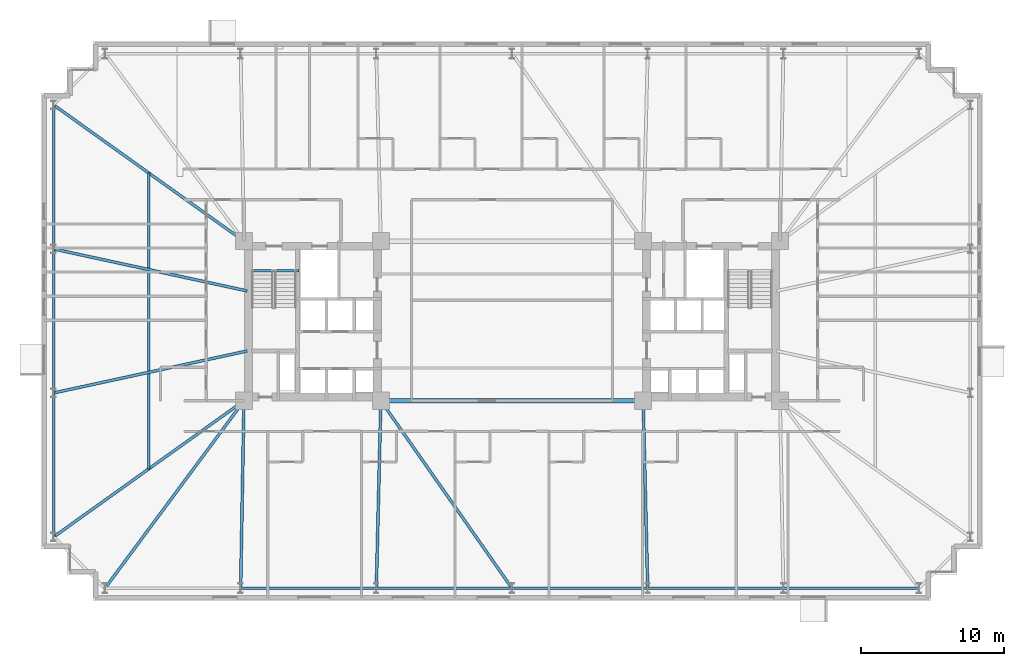
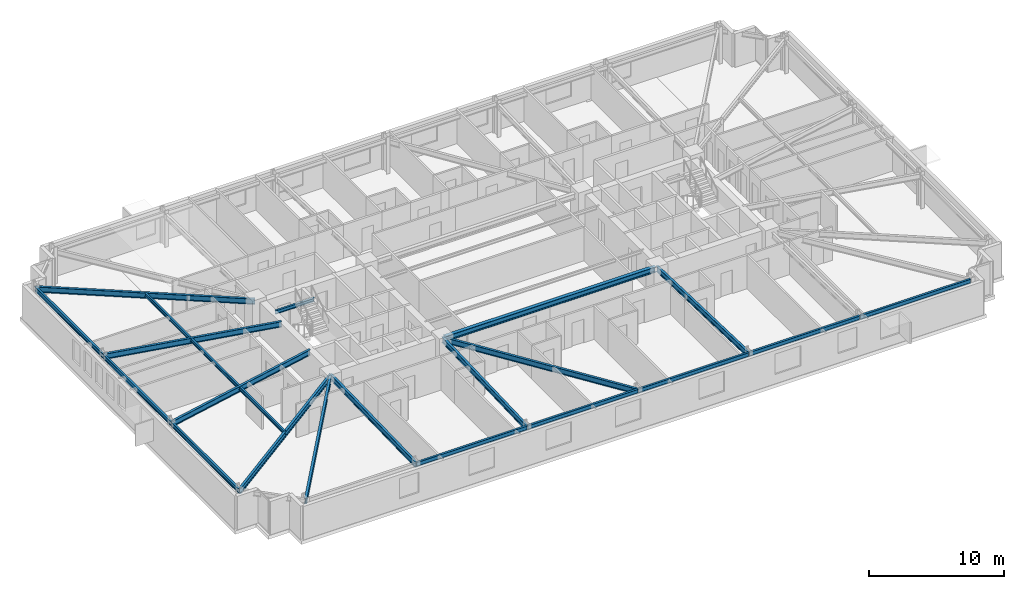
# One storey, part 5 of 22: 20 beams.
"""IFC4 building model written with IfcOpenShell, lengths in metres."""

from ifc_helpers import new_model, si_unit, direction, frame, origin, origin_2d, place, context, subcontext, project, spatial, i_section, extrude, material, material_profile, profile_set, type_object, element, save


model = new_model("IFC4")

# Units and contexts
model_context = context("Model", 3, precision=1e-05, world=origin(), true_north=direction((0.0, 1.0)))
body_context = subcontext(model_context, "Body", "Model", "MODEL_VIEW")
ifc_project = project(units=[si_unit("LENGTHUNIT", "METRE"), si_unit("AREAUNIT", "SQUARE_METRE"), si_unit("VOLUMEUNIT", "CUBIC_METRE"), si_unit("PLANEANGLEUNIT", "RADIAN"), si_unit("MASSUNIT", "GRAM", prefix="KILO")], contexts=[model_context])

# Site, building, storey
site_placement = place(None, origin())
site = spatial("IfcSite", under=ifc_project, at=site_placement, CompositionType="ELEMENT")
building_placement = place(site_placement, origin())
building = spatial("IfcBuilding", under=site, at=building_placement, Name="Qobustan Lattice House", CompositionType="ELEMENT")
storey_placement = place(building_placement, frame((0.0, 0.0, 53.800048828125)))
storey = spatial("IfcBuildingStorey", under=building, at=storey_placement, Name="L14", CompositionType="ELEMENT", Elevation=53.800048828125)

# Beams
ifc_material_1 = material(Name="Steel S355", Category="steel")
ifc_material_profile_1 = material_profile(ifc_material_1, i_section(OverallWidth=0.300048828125, OverallDepth=0.5, WebThickness=0.014404296875, FlangeThickness=0.028076171875, FilletRadius=0.027099609375, at=origin_2d()), Name="HEB500")
ifc_profile_set_1 = profile_set([ifc_material_profile_1], Name="Steel S355")
beam_type_1 = type_object("IfcBeamType", Name="BM-CG-HEB500", PredefinedType="USERDEFINED", material=ifc_profile_set_1)
beam_1_placement = place(storey_placement, frame((-9.050048828125, -5.60009765625, 2.784912109375), z_axis=(1.0, 0.0, 0.0), x_axis=(0.0, 1.0, 0.0)))
element("IfcBeam", 1, at=beam_1_placement, inside=storey, type_object=beam_type_1, Name="L14 core spine girder CG-CS", ObjectType="GIRDER", PredefinedType="USERDEFINED", context=body_context, shape_type="SweptSolid", body=[
    extrude(i_section(OverallWidth=0.300048828125, OverallDepth=0.5, WebThickness=0.014404296875, FlangeThickness=0.028076171875, FilletRadius=0.027099609375, at=origin_2d()), origin(), (0.0, 0.0, 1.0), 18.10009765625),
])
ifc_material_2 = material(Name="Steel S355", Category="steel")
ifc_material_profile_2 = material_profile(ifc_material_2, i_section(OverallWidth=0.199951171875, OverallDepth=0.5, WebThickness=0.01025390625, FlangeThickness=0.01611328125, FilletRadius=0.02099609375, at=origin_2d()), Name="IPE500")
ifc_profile_set_2 = profile_set([ifc_material_profile_2], Name="Steel S355")
beam_type_2 = type_object("IfcBeamType", Name="BM-FLG-IPE500", PredefinedType="USERDEFINED", material=ifc_profile_set_2)
beam_2_placement = place(storey_placement, frame((-28.53515625, -18.72998046875, 2.784912109375), z_axis=(0.5955916815, 0.803287338956, 0.0), x_axis=(-0.803287338956, 0.5955916815, 0.0)))
element("IfcBeam", 2, at=beam_2_placement, inside=storey, type_object=beam_type_2, Name="L14 primary floor girder RAD-S1W", ObjectType="GIRDER", PredefinedType="USERDEFINED", context=body_context, shape_type="SweptSolid", body=[
    extrude(i_section(OverallWidth=0.199951171875, OverallDepth=0.5, WebThickness=0.01025390625, FlangeThickness=0.01611328125, FilletRadius=0.02099609375, at=origin_2d()), origin(), (0.0, 0.0, 1.0), 16.3203125),
])
beam_3_placement = place(storey_placement, frame((-19.032958984375, -18.72509765625, 2.784912109375), z_axis=(0.017757831607, 0.999842317276, 0.0), x_axis=(-0.999842317276, 0.017757831607, 0.0)))
element("IfcBeam", 3, at=beam_3_placement, inside=storey, type_object=beam_type_2, Name="L14 primary floor girder RAD-S2", ObjectType="GIRDER", PredefinedType="USERDEFINED", context=body_context, shape_type="SweptSolid", body=[
    extrude(i_section(OverallWidth=0.199951171875, OverallDepth=0.5, WebThickness=0.01025390625, FlangeThickness=0.01611328125, FilletRadius=0.02099609375, at=origin_2d()), origin(), (0.0, 0.0, 1.0), 13.10205078125),
])
beam_4_placement = place(storey_placement, frame((-9.51611328125, -18.72509765625, 2.784912109375), z_axis=(0.024071445657, 0.999710240772, 0.0), x_axis=(-0.999710240772, 0.024071445657, 0.0)))
element("IfcBeam", 4, at=beam_4_placement, inside=storey, type_object=beam_type_2, Name="L14 primary floor girder RAD-S3", ObjectType="GIRDER", PredefinedType="USERDEFINED", context=body_context, shape_type="SweptSolid", body=[
    extrude(i_section(OverallWidth=0.199951171875, OverallDepth=0.5, WebThickness=0.01025390625, FlangeThickness=0.01611328125, FilletRadius=0.02099609375, at=origin_2d()), origin(), (0.0, 0.0, 1.0), 13.10400390625),
])
beam_5_placement = place(storey_placement, frame((-0.014404296875, -18.7294921875, 2.784912109375), z_axis=(-0.57325954206, 0.819373844736, 0.0), x_axis=(-0.819373844736, -0.57325954206, 0.0)))
element("IfcBeam", 5, at=beam_5_placement, inside=storey, type_object=beam_type_2, Name="L14 primary floor girder RAD-S4", ObjectType="GIRDER", PredefinedType="USERDEFINED", context=body_context, shape_type="SweptSolid", body=[
    extrude(i_section(OverallWidth=0.199951171875, OverallDepth=0.5, WebThickness=0.01025390625, FlangeThickness=0.01611328125, FilletRadius=0.02099609375, at=origin_2d()), origin(), (0.0, 0.0, 1.0), 15.998779296875),
])
beam_6_placement = place(storey_placement, frame((9.51611328125, -18.72509765625, 2.784912109375), z_axis=(-0.024071445657, 0.999710240772, 0.0), x_axis=(-0.999710240772, -0.024071445657, 0.0)))
element("IfcBeam", 6, at=beam_6_placement, inside=storey, type_object=beam_type_2, Name="L14 primary floor girder RAD-S5", ObjectType="GIRDER", PredefinedType="USERDEFINED", context=body_context, shape_type="SweptSolid", body=[
    extrude(i_section(OverallWidth=0.199951171875, OverallDepth=0.5, WebThickness=0.01025390625, FlangeThickness=0.01611328125, FilletRadius=0.02099609375, at=origin_2d()), origin(), (0.0, 0.0, 1.0), 13.10400390625),
])
beam_7_placement = place(storey_placement, frame((-32.129638671875, 15.135498046875, 2.784912109375), z_axis=(0.813318954893, -0.581818079481, 0.0), x_axis=(0.581818079481, 0.813318954893, 0.0)))
element("IfcBeam", 7, at=beam_7_placement, inside=storey, type_object=beam_type_2, Name="L14 primary floor girder RAD-W1", ObjectType="GIRDER", PredefinedType="USERDEFINED", context=body_context, shape_type="SweptSolid", body=[
    extrude(i_section(OverallWidth=0.199951171875, OverallDepth=0.5, WebThickness=0.01025390625, FlangeThickness=0.01611328125, FilletRadius=0.02099609375, at=origin_2d()), origin(), (0.0, 0.0, 1.0), 16.3642578125),
])
for number, where, z_axis, x_axis, name in (
    (8, (-32.12548828125, 5.044677734375, 2.784912109375), (0.97727240275, -0.211987383643, 0.0), (0.211987383643, 0.97727240275, 0.0), "L14 primary floor girder RAD-W2"),
    (9, (-32.12548828125, -5.044677734375, 2.784912109375), (0.97727240275, 0.211987383643, 0.0), (-0.211987383643, 0.97727240275, 0.0), "L14 primary floor girder RAD-W3"),
):
    element("IfcBeam", number, at=place(storey_placement, frame(where, z_axis=z_axis, x_axis=x_axis)), inside=storey, type_object=beam_type_2, Name=name, ObjectType="GIRDER", PredefinedType="USERDEFINED", context=body_context, shape_type="SweptSolid", body=[
        extrude(i_section(OverallWidth=0.199951171875, OverallDepth=0.5, WebThickness=0.01025390625, FlangeThickness=0.01611328125, FilletRadius=0.02099609375, at=origin_2d()), origin(), (0.0, 0.0, 1.0), 13.8662109375),
    ])
beam_8_placement = place(storey_placement, frame((-32.129638671875, -15.135498046875, 2.784912109375), z_axis=(0.813318954893, 0.581818079481, 0.0), x_axis=(-0.581818079481, 0.813318954893, 0.0)))
element("IfcBeam", 10, at=beam_8_placement, inside=storey, type_object=beam_type_2, Name="L14 primary floor girder RAD-W4", ObjectType="GIRDER", PredefinedType="USERDEFINED", context=body_context, shape_type="SweptSolid", body=[
    extrude(i_section(OverallWidth=0.199951171875, OverallDepth=0.5, WebThickness=0.01025390625, FlangeThickness=0.01611328125, FilletRadius=0.02099609375, at=origin_2d()), origin(), (0.0, 0.0, 1.0), 16.3642578125),
])
ifc_material_3 = material(Name="Steel S355", Category="steel")
ifc_material_profile_3 = material_profile(ifc_material_3, i_section(OverallWidth=0.159912109375, OverallDepth=0.330078125, WebThickness=0.007568359375, FlangeThickness=0.011474609375, FilletRadius=0.01806640625, at=origin_2d()), Name="IPE330")
ifc_profile_set_3 = profile_set([ifc_material_profile_3], Name="Steel S355")
beam_type_3 = type_object("IfcBeamType", Name="BM-SEC-IPE330", PredefinedType="BEAM", material=ifc_profile_set_3)
beam_9_placement = place(storey_placement, frame((-25.47509765625, 10.375, 2.869873046875), z_axis=(0.0, -1.0, 0.0), x_axis=(1.0, 0.0, 0.0)))
element("IfcBeam", 11, at=beam_9_placement, inside=storey, type_object=beam_type_3, Name="L14 west wing secondary beam", PredefinedType="BEAM", context=body_context, shape_type="SweptSolid", body=[
    extrude(i_section(OverallWidth=0.159912109375, OverallDepth=0.330078125, WebThickness=0.007568359375, FlangeThickness=0.011474609375, FilletRadius=0.01806640625, at=origin_2d()), origin(), (0.0, 0.0, 1.0), 20.75),
])
ifc_material_4 = material(Name="Steel S355", Category="steel")
ifc_material_profile_4 = material_profile(ifc_material_4, i_section(OverallWidth=0.159912109375, OverallDepth=0.330078125, WebThickness=0.007568359375, FlangeThickness=0.011474609375, FilletRadius=0.01806640625, at=origin_2d()), Name="IPE330")
ifc_profile_set_4 = profile_set([ifc_material_profile_4], Name="Steel S355")
beam_type_4 = type_object("IfcBeamType", Name="BM-SPD-IPE330", PredefinedType="SPANDREL", material=ifc_profile_set_4)
beam_10_placement = place(storey_placement, frame((-18.300048828125, 3.52001953125, 2.869873046875), z_axis=(1.0, 0.0, 0.0), x_axis=(0.0, 1.0, 0.0)))
element("IfcBeam", 12, at=beam_10_placement, inside=storey, type_object=beam_type_4, Name="L14 west stair landing trimmer beam", PredefinedType="SPANDREL", context=body_context, shape_type="SweptSolid", body=[
    extrude(i_section(OverallWidth=0.159912109375, OverallDepth=0.330078125, WebThickness=0.007568359375, FlangeThickness=0.011474609375, FilletRadius=0.01806640625, at=origin_2d()), origin(), (0.0, 0.0, 1.0), 3.35009765625),
])
ifc_material_5 = material(Name="Steel S355", Category="steel")
ifc_material_profile_5 = material_profile(ifc_material_5, i_section(OverallWidth=0.179931640625, OverallDepth=0.39990234375, WebThickness=0.008544921875, FlangeThickness=0.013427734375, FilletRadius=0.02099609375, at=origin_2d()), Name="IPE400")
ifc_profile_set_5 = profile_set([ifc_material_profile_5], Name="Steel S355")
beam_type_5 = type_object("IfcBeamType", Name="BM-SPD-IPE400", PredefinedType="SPANDREL", material=ifc_profile_set_5)
beam_11_placement = place(storey_placement, frame((-19.00830078125, -18.75, 2.8349609375), z_axis=(1.0, 0.0, 0.0), x_axis=(0.0, 1.0, 0.0)))
element("IfcBeam", 13, at=beam_11_placement, inside=storey, type_object=beam_type_5, Name="L14 perimeter spandrel S2-S3", PredefinedType="SPANDREL", context=body_context, shape_type="SweptSolid", body=[
    extrude(i_section(OverallWidth=0.179931640625, OverallDepth=0.39990234375, WebThickness=0.008544921875, FlangeThickness=0.013427734375, FilletRadius=0.02099609375, at=origin_2d()), origin(), (0.0, 0.0, 1.0), 9.466552734375),
])
for number, where, z_axis, x_axis, name in (
    (14, (-9.49169921875, -18.75, 2.8349609375), (1.0, 0.0, 0.0), (0.0, 1.0, 0.0), "L14 perimeter spandrel S3-S4"),
    (15, (0.02490234375, -18.75, 2.8349609375), (1.0, 0.0, 0.0), (0.0, 1.0, 0.0), "L14 perimeter spandrel S4-S5"),
):
    element("IfcBeam", number, at=place(storey_placement, frame(where, z_axis=z_axis, x_axis=x_axis)), inside=storey, type_object=beam_type_5, Name=name, PredefinedType="SPANDREL", context=body_context, shape_type="SweptSolid", body=[
        extrude(i_section(OverallWidth=0.179931640625, OverallDepth=0.39990234375, WebThickness=0.008544921875, FlangeThickness=0.013427734375, FilletRadius=0.02099609375, at=origin_2d()), origin(), (0.0, 0.0, 1.0), 9.466796875),
    ])
for number, where, z_axis, x_axis, name in (
    (16, (9.541748046875, -18.75, 2.8349609375), (1.0, 0.0, 0.0), (0.0, 1.0, 0.0), "L14 perimeter spandrel S5-S6"),
    (17, (19.058349609375, -18.75, 2.8349609375), (1.0, 0.0, 0.0), (0.0, 1.0, 0.0), "L14 perimeter spandrel S6-S7"),
):
    element("IfcBeam", number, at=place(storey_placement, frame(where, z_axis=z_axis, x_axis=x_axis)), inside=storey, type_object=beam_type_5, Name=name, PredefinedType="SPANDREL", context=body_context, shape_type="SweptSolid", body=[
        extrude(i_section(OverallWidth=0.179931640625, OverallDepth=0.39990234375, WebThickness=0.008544921875, FlangeThickness=0.013427734375, FilletRadius=0.02099609375, at=origin_2d()), origin(), (0.0, 0.0, 1.0), 9.466552734375),
    ])
beam_12_placement = place(storey_placement, frame((-32.14990234375, 15.125, 2.8349609375), z_axis=(0.0, -1.0, 0.0), x_axis=(1.0, 0.0, 0.0)))
element("IfcBeam", 18, at=beam_12_placement, inside=storey, type_object=beam_type_5, Name="L14 perimeter spandrel W1-W2", PredefinedType="SPANDREL", context=body_context, shape_type="SweptSolid", body=[
    extrude(i_section(OverallWidth=0.179931640625, OverallDepth=0.39990234375, WebThickness=0.008544921875, FlangeThickness=0.013427734375, FilletRadius=0.02099609375, at=origin_2d()), origin(), (0.0, 0.0, 1.0), 10.050048828125),
])
beam_13_placement = place(storey_placement, frame((-32.14990234375, 5.02490234375, 2.8349609375), z_axis=(0.0, -1.0, 0.0), x_axis=(1.0, 0.0, 0.0)))
element("IfcBeam", 19, at=beam_13_placement, inside=storey, type_object=beam_type_5, Name="L14 perimeter spandrel W2-W3", PredefinedType="SPANDREL", context=body_context, shape_type="SweptSolid", body=[
    extrude(i_section(OverallWidth=0.179931640625, OverallDepth=0.39990234375, WebThickness=0.008544921875, FlangeThickness=0.013427734375, FilletRadius=0.02099609375, at=origin_2d()), origin(), (0.0, 0.0, 1.0), 10.0498046875),
])
beam_14_placement = place(storey_placement, frame((-32.14990234375, -5.074951171875, 2.8349609375), z_axis=(0.0, -1.0, 0.0), x_axis=(1.0, 0.0, 0.0)))
element("IfcBeam", 20, at=beam_14_placement, inside=storey, type_object=beam_type_5, Name="L14 perimeter spandrel W3-W4", PredefinedType="SPANDREL", context=body_context, shape_type="SweptSolid", body=[
    extrude(i_section(OverallWidth=0.179931640625, OverallDepth=0.39990234375, WebThickness=0.008544921875, FlangeThickness=0.013427734375, FilletRadius=0.02099609375, at=origin_2d()), origin(), (0.0, 0.0, 1.0), 10.050048828125),
])

save(model, "model.ifc")
